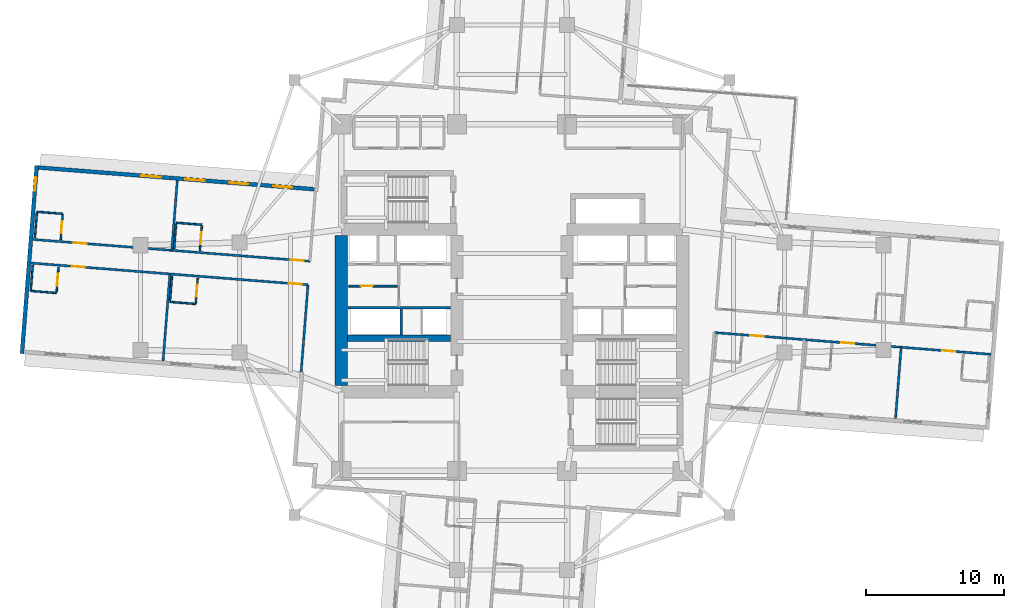
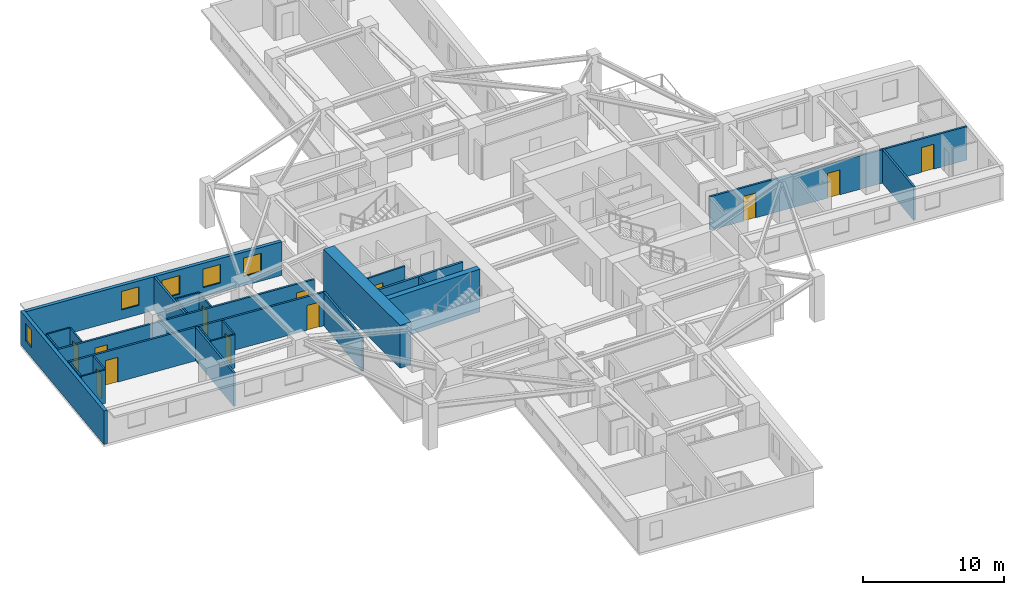
# One storey, part 5 of 14: 26 walls, 12 doors, 5 windows, 17 openings.
"""IFC4 building model written with IfcOpenShell, lengths in metres."""

import ifcopenshell
import ifcopenshell.guid

model = None  # the IFC model being written
_history = None  # IfcOwnerHistory: only IFC2X3 demands one
_inside = {}  # id of a spatial element -> (the spatial element, [elements in it])
_under = {}  # id of a project, library or spatial element -> (it, [spatial elements below it])
_declared = {}  # id of a project -> (the project, [libraries it declares])
_typed = {}  # id of a type object -> (the type object, [elements of that type])
_made_of = {}  # id of a material, layer set ... -> (it, [elements and type objects made of it])


def new_model(schema):
    """Start an empty IFC model of exactly this schema.

    Asked for "IFC4X3", IfcOpenShell would pick the latest addendum, in which some entities
    have other attributes; the version numbers below select the first issue.
    IFC2X3 requires an IfcOwnerHistory on every rooted entity: one is made here for all.
    """
    global model, _history
    if schema == "IFC4X3":
        model = ifcopenshell.file(schema_version=(4, 3, 0, 0))
    else:
        model = ifcopenshell.file(schema=schema)
    _inside.clear()
    _under.clear()
    _declared.clear()
    _typed.clear()
    _made_of.clear()
    _history = None
    if model.schema == "IFC2X3":
        org = make("IfcOrganization", Name="unknown")
        user = make(
            "IfcPersonAndOrganization",
            ThePerson=make("IfcPerson", FamilyName="unknown"),
            TheOrganization=org,
        )
        app = make(
            "IfcApplication",
            ApplicationDeveloper=org,
            Version="unknown",
            ApplicationFullName="unknown",
            ApplicationIdentifier="unknown",
        )
        _history = make(
            "IfcOwnerHistory",
            OwningUser=user,
            OwningApplication=app,
            ChangeAction="ADDED",
            CreationDate=0,
        )
    return model


def make(cls, **values):
    """One entity of the class cls with the attributes given. An attribute that is None is left unset."""
    return model.create_entity(
        cls, **{name: value for name, value in values.items() if value is not None}
    )


def rooted(cls, **values):
    """An entity with a GlobalId (a new one), such as an element, a storey or a relation."""
    return make(cls, GlobalId=ifcopenshell.guid.new(), OwnerHistory=_history, **values)


def si_unit(unit_type, name, prefix=None):
    """IfcSIUnit, for example si_unit("LENGTHUNIT", "METRE", prefix="MILLI")."""
    return make("IfcSIUnit", UnitType=unit_type, Prefix=prefix, Name=name)


def assignment(units):
    """IfcUnitAssignment: the units of a project."""
    return None if units is None else make("IfcUnitAssignment", Units=units)


def point(xyz):
    """IfcCartesianPoint."""
    return None if xyz is None else make("IfcCartesianPoint", Coordinates=xyz)


def direction(xyz):
    """IfcDirection."""
    return None if xyz is None else make("IfcDirection", DirectionRatios=xyz)


def frame(location, z_axis=None, x_axis=None):
    """IfcAxis2Placement3D, a coordinate frame: its origin and axes. An axis left out is left unset."""
    return make(
        "IfcAxis2Placement3D",
        Location=point(location),
        Axis=direction(z_axis),
        RefDirection=direction(x_axis),
    )


def frame_2d(location, x_axis=None):
    """IfcAxis2Placement2D, a coordinate frame in the plane: its origin and x axis."""
    return make(
        "IfcAxis2Placement2D", Location=point(location), RefDirection=direction(x_axis)
    )


def origin():
    """The frame at (0, 0, 0) with its axes left unset."""
    return frame((0.0, 0.0, 0.0))


def place(relative_to, where):
    """IfcLocalPlacement: puts the frame where relative to a parent placement (None: the world)."""
    return make(
        "IfcLocalPlacement", PlacementRelTo=relative_to, RelativePlacement=where
    )


def context(
    kind, dimensions, precision=None, world=None, true_north=None, identifier=None
):
    """IfcGeometricRepresentationContext, for example the 3D "Model" context."""
    return make(
        "IfcGeometricRepresentationContext",
        ContextIdentifier=identifier,
        ContextType=kind,
        CoordinateSpaceDimension=dimensions,
        Precision=precision,
        WorldCoordinateSystem=world,
        TrueNorth=true_north,
    )


def subcontext(parent, identifier, kind, view, scale=None):
    """IfcGeometricRepresentationSubContext, for example "Body" below "Model"."""
    return make(
        "IfcGeometricRepresentationSubContext",
        ContextIdentifier=identifier,
        ContextType=kind,
        ParentContext=parent,
        TargetScale=scale,
        TargetView=view,
    )


def project(units=None, contexts=None):
    """IfcProject with its units and contexts."""
    return rooted(
        "IfcProject",
        Name="project",
        RepresentationContexts=contexts,
        UnitsInContext=assignment(units),
    )


def spatial(cls, under=None, at=None, **own):
    """A site, building, storey or space (cls), placed at a placement, below another one or the project."""
    s = rooted(cls, ObjectPlacement=at, **own)
    if under is not None:
        _under.setdefault(under.id(), (under, []))[1].append(s)
    return s


def profile(cls, at=None, kind="AREA", **sizes):
    """A parametric profile (cls). Its sizes go by their IFC names, for example OverallWidth=200.0."""
    return make(cls, ProfileType=kind, Position=at, **sizes)


def rectangle(**sizes):
    """IfcRectangleProfileDef."""
    return profile("IfcRectangleProfileDef", **sizes)


def extrude(swept, where, along, depth):
    """IfcExtrudedAreaSolid: the profile swept, set in the frame where, extruded along a direction by depth."""
    return make(
        "IfcExtrudedAreaSolid",
        SweptArea=swept,
        Position=where,
        ExtrudedDirection=direction(along),
        Depth=depth,
    )


def shape(context_of_items, identifier, shape_type, items):
    """IfcShapeRepresentation: the items that make up one representation, for example the "Body"."""
    return make(
        "IfcShapeRepresentation",
        ContextOfItems=context_of_items,
        RepresentationIdentifier=identifier,
        RepresentationType=shape_type,
        Items=items,
    )


def material(Name=None, Category=None):
    """IfcMaterial."""
    return make("IfcMaterial", Name=Name, Category=Category)


def layer(
    of_material, thickness, ventilated=None, Name=None, Category=None, Priority=None
):
    """IfcMaterialLayer: one layer of a wall or slab, of a material (None: an air gap)."""
    return make(
        "IfcMaterialLayer",
        Material=of_material,
        LayerThickness=thickness,
        IsVentilated=ventilated,
        Name=Name,
        Category=Category,
        Priority=Priority,
    )


def layer_set(layers, Name=None):
    """IfcMaterialLayerSet."""
    return make("IfcMaterialLayerSet", MaterialLayers=layers, LayerSetName=Name)


def made_of(thing, what):
    """Note that an element or type object is made of a material, layer set ...; save() writes the relation."""
    if what is not None:
        _made_of.setdefault(what.id(), (what, []))[1].append(thing)
    return thing


def type_object(cls, material=None, **own):
    """A type object (cls), such as IfcWallType, which elements share."""
    return made_of(rooted(cls, **own), material)


def element(
    cls,
    number,
    at=None,
    inside=None,
    cuts=None,
    type_object=None,
    material=None,
    context=None,
    identifier="Body",
    shape_type=None,
    held_by="IfcProductDefinitionShape",
    body=None,
    shapes=None,
    **own,
):
    """One element of the class cls, such as IfcWall. Its Tag is "e" and its number.

    at: its placement. inside: the storey or other place that contains it. cuts: it is an
    opening in that element (IfcRelVoidsElement). A single representation is given by context,
    identifier, shape_type and body (its items); several are given by shapes. held_by: the class
    of the entity that holds the representations. save() writes the other relations.
    """
    e = rooted(cls, Tag="e%d" % number, ObjectPlacement=at, **own)
    if body is not None:
        shapes = [shape(context, identifier, shape_type, body)]
    if shapes is not None:
        e.Representation = make(held_by, Representations=shapes)
    if inside is not None:
        _inside.setdefault(inside.id(), (inside, []))[1].append(e)
    if cuts is not None:
        rooted(
            "IfcRelVoidsElement", RelatingBuildingElement=cuts, RelatedOpeningElement=e
        )
    if type_object is not None:
        _typed.setdefault(type_object.id(), (type_object, []))[1].append(e)
    return made_of(e, material)


def fill(opening, filler):
    """IfcRelFillsElement: the door or window that sits in an opening."""
    return rooted(
        "IfcRelFillsElement",
        RelatingOpeningElement=opening,
        RelatedBuildingElement=filler,
    )


def aggregate(whole, parts):
    """IfcRelAggregates: a whole, such as a stair, and the parts it consists of."""
    return rooted("IfcRelAggregates", RelatingObject=whole, RelatedObjects=parts)


def save(model, path):
    """Write the relations noted so far, then the file.

    IfcRelAggregates (storeys below a building ...), IfcRelContainedInSpatialStructure (elements
    in a storey), IfcRelDefinesByType, IfcRelAssociatesMaterial and IfcRelDeclares: one each for
    every whole, place, type object, material and project.
    """
    for whole, parts in _under.values():
        aggregate(whole, parts)
    for where, things in _inside.values():
        rooted(
            "IfcRelContainedInSpatialStructure",
            RelatedElements=things,
            RelatingStructure=where,
        )
    for kind, things in _typed.values():
        rooted("IfcRelDefinesByType", RelatedObjects=things, RelatingType=kind)
    for what, things in _made_of.values():
        rooted("IfcRelAssociatesMaterial", RelatedObjects=things, RelatingMaterial=what)
    for by, libraries in _declared.values():
        rooted("IfcRelDeclares", RelatingContext=by, RelatedDefinitions=libraries)
    model.write(path)


model = new_model("IFC4")

# Units and contexts
model_context = context("Model", 3, precision=1e-05, world=origin(), true_north=direction((0.0, 1.0)))
body_context = subcontext(model_context, "Body", "Model", "MODEL_VIEW")
ifc_project = project(units=[si_unit("LENGTHUNIT", "METRE"), si_unit("AREAUNIT", "SQUARE_METRE"), si_unit("VOLUMEUNIT", "CUBIC_METRE"), si_unit("PLANEANGLEUNIT", "RADIAN"), si_unit("MASSUNIT", "GRAM", prefix="KILO")], contexts=[model_context])

# Site, building, storey
site_placement = place(None, origin())
site = spatial("IfcSite", under=ifc_project, at=site_placement, CompositionType="ELEMENT")
building_placement = place(site_placement, origin())
building = spatial("IfcBuilding", under=site, at=building_placement, Name="Qingluan Cross Belvedere", CompositionType="ELEMENT")
storey_placement = place(building_placement, frame((0.0, 0.0, 83.39990234375)))
storey = spatial("IfcBuildingStorey", under=building, at=storey_placement, Name="L21", CompositionType="ELEMENT", Elevation=83.39990234375)

# Walls
ifc_material_1 = material(Name="Concrete C50", Category="concrete")
ifc_layer_1 = layer(ifc_material_1, 0.449951171875, Name="CoreShearWall_450")
ifc_layer_set_1 = layer_set([ifc_layer_1], Name="Concrete C50")
wall_type_1 = type_object("IfcWallType", Name="CoreShearWall_450", PredefinedType="SHEAR", material=ifc_layer_set_1)
wall_1_placement = place(storey_placement, frame((-11.945068359375, -2.9599609375, 0.0), z_axis=(0.0, 0.0, 1.0), x_axis=(1.0, 0.0, 0.0)))
element("IfcWall", 1, at=wall_1_placement, inside=storey, type_object=wall_type_1, Name="Split core W shear wall L21-M", PredefinedType="SHEAR", context=body_context, shape_type="SweptSolid", body=[
    extrude(rectangle(XDim=7.489990234375, YDim=0.449951171875, at=frame_2d((3.7451171875, 0.0))), origin(), (0.0, 0.0, 1.0), 3.7001953125),
])
ifc_material_2 = material(Name="Concrete C70", Category="concrete")
ifc_layer_2 = layer(ifc_material_2, 0.89990234375, Name="CoreShearWall_900")
ifc_layer_set_2 = layer_set([ifc_layer_2], Name="Concrete C70")
wall_type_2 = type_object("IfcWallType", Name="CoreShearWall_900", PredefinedType="SHEAR", material=ifc_layer_set_2)
wall_2_placement = place(storey_placement, frame((-12.39990234375, -6.39501953125, 0.0), z_axis=(0.0, 0.0, 1.0), x_axis=(0.0, 1.0, 0.0)))
element("IfcWall", 2, at=wall_2_placement, inside=storey, type_object=wall_type_2, Name="Split core W shear wall L21-W", PredefinedType="SHEAR", context=body_context, shape_type="SweptSolid", body=[
    extrude(rectangle(XDim=10.89013671875, YDim=0.89990234375, at=frame_2d((5.445068359375, 0.0))), origin(), (0.0, 0.0, 1.0), 3.7001953125),
])

# Wall, opening, door
ifc_material_3 = material(Name="Gypsum plasterboard on steel stud acoustic partition", Category="steel")
ifc_layer_3 = layer(ifc_material_3, 0.159912109375, Name="CorridorPartition_160")
ifc_layer_set_3 = layer_set([ifc_layer_3], Name="Gypsum plasterboard on steel stud acoustic partition")
wall_type_3 = type_object("IfcWallType", Name="CorridorPartition_160", PredefinedType="PARTITIONING", material=ifc_layer_set_3)
wall_3_placement = place(storey_placement, frame((-11.85009765625, 0.830078125, 0.0), z_axis=(0.0, 0.0, 1.0), x_axis=(1.0, 0.0, 0.0)))
wall_3 = element("IfcWall", 3, at=wall_3_placement, inside=storey, type_object=wall_type_3, Name="Partition L21:w", PredefinedType="PARTITIONING", context=body_context, shape_type="SweptSolid", body=[
    extrude(rectangle(XDim=3.552001953125, YDim=0.139892578125, at=frame_2d((1.77587890625, 0.0))), origin(), (0.0, 0.0, 1.0), 2.900146484375),
])
opening_1_placement = place(wall_3_placement, frame((0.85009765625, 0.0, 0.0)))
opening_1 = element("IfcOpeningElement", 4, at=opening_1_placement, cuts=wall_3, Name="Opening FD-B10", PredefinedType="OPENING", context=body_context, shape_type="SweptSolid", body=[
    extrude(rectangle(XDim=0.8798828125, YDim=2.10009765625, at=frame_2d((0.43994140625, 1.050048828125))), frame((0.0, 0.079833984375, 0.0), z_axis=(0.0, -1.0, 0.0), x_axis=(1.0, 0.0, 0.0)), (0.0, 0.0, 1.0), 0.159912109375),
])
ifc_material_4 = material(Name="Steel Class B service fire door", Category="steel")
door_type_1 = type_object("IfcDoorType", Name="RiserServiceFireDoor_FDB", OperationType="NOTDEFINED", PredefinedType="DOOR", material=ifc_material_4)
door_1_placement = place(opening_1_placement, origin())
door_1 = element("IfcDoor", 5, at=door_1_placement, inside=storey, type_object=door_type_1, Name="Service closet inner door L21", OperationType="SINGLE_SWING_RIGHT", OverallHeight=2.10009765625, OverallWidth=0.8798828125, PredefinedType="DOOR", context=body_context, shape_type="SweptSolid", body=[
    extrude(rectangle(XDim=0.8798828125, YDim=2.10009765625, at=frame_2d((0.43994140625, 1.050048828125))), frame((0.0, 0.02490234375, 0.0), z_axis=(0.0, -1.0, 0.0), x_axis=(1.0, 0.0, 0.0)), (0.0, 0.0, 1.0), 0.050048828125),
])
fill(opening_1, door_1)

# Wall, openings, doors
wall_4_placement = place(storey_placement, frame((14.69580078125, -2.541015625, 0.0), z_axis=(0.0, 0.0, 1.0), x_axis=(0.996918172339, -0.0784484395, 0.0)))
wall_4 = element("IfcWall", 6, at=wall_4_placement, inside=storey, type_object=wall_type_3, Name="Partition L21:E:c1", PredefinedType="PARTITIONING", context=body_context, shape_type="SweptSolid", body=[
    extrude(rectangle(XDim=20.18212890625, YDim=0.159912109375, at=frame_2d((10.091064453125, 0.0))), origin(), (0.0, 0.0, 1.0), 2.900146484375),
])
opening_2_placement = place(wall_4_placement, frame((2.635986328125, 0.0, 0.0)))
opening_2 = element("IfcOpeningElement", 7, at=opening_2_placement, cuts=wall_4, Name="Opening GD-10", PredefinedType="OPENING", context=body_context, shape_type="SweptSolid", body=[
    extrude(rectangle(XDim=0.9599609375, YDim=2.14990234375, at=frame_2d((0.47998046875, 1.074951171875))), frame((0.0, 0.08984375, 0.0), z_axis=(0.0, -1.0, 0.0), x_axis=(1.0, 0.0, 0.0)), (0.0, 0.0, 1.0), 0.179931640625),
])
opening_3_placement = place(wall_4_placement, frame((9.242919921875, 0.0, 0.0)))
opening_3 = element("IfcOpeningElement", 8, at=opening_3_placement, cuts=wall_4, Name="Opening GD-10", PredefinedType="OPENING", context=body_context, shape_type="SweptSolid", body=[
    extrude(rectangle(XDim=0.9599609375, YDim=2.14990234375, at=frame_2d((0.47998046875, 1.074951171875))), frame((0.0, 0.08984375, 0.0), z_axis=(0.0, -1.0, 0.0), x_axis=(1.0, 0.0, 0.0)), (0.0, 0.0, 1.0), 0.179931640625),
])
opening_4_placement = place(wall_4_placement, frame((16.611083984375, 0.0, 0.0)))
opening_4 = element("IfcOpeningElement", 9, at=opening_4_placement, cuts=wall_4, Name="Opening GD-10", PredefinedType="OPENING", context=body_context, shape_type="SweptSolid", body=[
    extrude(rectangle(XDim=0.9599609375, YDim=2.14990234375, at=frame_2d((0.47998046875, 1.074951171875))), frame((0.0, 0.08984375, 0.0), z_axis=(0.0, -1.0, 0.0), x_axis=(1.0, 0.0, 0.0)), (0.0, 0.0, 1.0), 0.179931640625),
])
ifc_material_5 = material(Name="Timber oak fire-rated acoustic guestroom door", Category="wood")
door_type_2 = type_object("IfcDoorType", Name="GuestEntryDoor_FD60", OperationType="NOTDEFINED", PredefinedType="DOOR", material=ifc_material_5)
door_2_placement = place(opening_2_placement, origin())
door_2 = element("IfcDoor", 10, at=door_2_placement, inside=storey, type_object=door_type_2, Name="Guest entry fire door 2104", OperationType="SINGLE_SWING_LEFT", OverallHeight=2.14990234375, OverallWidth=0.9599609375, PredefinedType="DOOR", context=body_context, shape_type="SweptSolid", body=[
    extrude(rectangle(XDim=0.9599609375, YDim=2.14990234375, at=frame_2d((0.47998046875, 1.074951171875))), frame((0.0, 0.02490234375, 0.0), z_axis=(0.0, -1.0, 0.0), x_axis=(1.0, 0.0, 0.0)), (0.0, 0.0, 1.0), 0.050048828125),
])
fill(opening_2, door_2)
door_3_placement = place(opening_3_placement, origin())
door_3 = element("IfcDoor", 11, at=door_3_placement, inside=storey, type_object=door_type_2, Name="Guest entry fire door 2105", OperationType="SINGLE_SWING_LEFT", OverallHeight=2.14990234375, OverallWidth=0.9599609375, PredefinedType="DOOR", context=body_context, shape_type="SweptSolid", body=[
    extrude(rectangle(XDim=0.9599609375, YDim=2.14990234375, at=frame_2d((0.47998046875, 1.074951171875))), frame((0.0, 0.02490234375, 0.0), z_axis=(0.0, -1.0, 0.0), x_axis=(1.0, 0.0, 0.0)), (0.0, 0.0, 1.0), 0.050048828125),
])
fill(opening_3, door_3)
door_4_placement = place(opening_4_placement, origin())
door_4 = element("IfcDoor", 12, at=door_4_placement, inside=storey, type_object=door_type_2, Name="Guest entry fire door 2106", OperationType="SINGLE_SWING_LEFT", OverallHeight=2.14990234375, OverallWidth=0.9599609375, PredefinedType="DOOR", context=body_context, shape_type="SweptSolid", body=[
    extrude(rectangle(XDim=0.9599609375, YDim=2.14990234375, at=frame_2d((0.47998046875, 1.074951171875))), frame((0.0, 0.02490234375, 0.0), z_axis=(0.0, -1.0, 0.0), x_axis=(1.0, 0.0, 0.0)), (0.0, 0.0, 1.0), 0.050048828125),
])
fill(opening_4, door_4)

# Wall
wall_5_placement = place(storey_placement, frame((28.27490234375, -3.609619140625, 0.0), z_axis=(0.0, 0.0, 1.0), x_axis=(-0.078433164296, -0.996919374242, 0.0)))
element("IfcWall", 13, at=wall_5_placement, inside=storey, type_object=wall_type_3, Name="Partition L21:E:d1_1", PredefinedType="PARTITIONING", context=body_context, shape_type="SweptSolid", body=[
    extrude(rectangle(XDim=5.192138671875, YDim=0.159912109375, at=frame_2d((2.59619140625, 0.0))), origin(), (0.0, 0.0, 1.0), 2.900146484375),
])

# Wall, openings, doors
wall_6_placement = place(storey_placement, frame((-14.68798828125, 2.640625, 0.0), z_axis=(0.0, 0.0, 1.0), x_axis=(-0.996917226209, 0.078460461943, 0.0)))
wall_6 = element("IfcWall", 14, at=wall_6_placement, inside=storey, type_object=wall_type_3, Name="Partition L21:W:c0", PredefinedType="PARTITIONING", context=body_context, shape_type="SweptSolid", body=[
    extrude(rectangle(XDim=20.18212890625, YDim=0.159912109375, at=frame_2d((10.091064453125, 0.0))), origin(), (0.0, 0.0, 1.0), 2.900146484375),
])
opening_5_placement = place(wall_6_placement, frame((0.449951171875, 0.0, 0.0)))
opening_5 = element("IfcOpeningElement", 15, at=opening_5_placement, cuts=wall_6, Name="Opening GD-10", PredefinedType="OPENING", context=body_context, shape_type="SweptSolid", body=[
    extrude(rectangle(XDim=0.9599609375, YDim=2.14990234375, at=frame_2d((0.47998046875, 1.074951171875))), frame((0.0, 0.08984375, 0.0), z_axis=(0.0, -1.0, 0.0), x_axis=(1.0, 0.0, 0.0)), (0.0, 0.0, 1.0), 0.179931640625),
])
opening_6_placement = place(wall_6_placement, frame((16.2548828125, 0.0, 0.0)))
opening_6 = element("IfcOpeningElement", 16, at=opening_6_placement, cuts=wall_6, Name="Opening GD-10", PredefinedType="OPENING", context=body_context, shape_type="SweptSolid", body=[
    extrude(rectangle(XDim=0.9599609375, YDim=2.14990234375, at=frame_2d((0.47998046875, 1.074951171875))), frame((0.0, 0.08984375, 0.0), z_axis=(0.0, -1.0, 0.0), x_axis=(1.0, 0.0, 0.0)), (0.0, 0.0, 1.0), 0.179931640625),
])
door_5_placement = place(opening_5_placement, origin())
door_5 = element("IfcDoor", 17, at=door_5_placement, inside=storey, type_object=door_type_2, Name="Guest entry fire door 2107", OperationType="SINGLE_SWING_LEFT", OverallHeight=2.14990234375, OverallWidth=0.9599609375, PredefinedType="DOOR", context=body_context, shape_type="SweptSolid", body=[
    extrude(rectangle(XDim=0.9599609375, YDim=2.14990234375, at=frame_2d((0.47998046875, 1.074951171875))), frame((0.0, 0.02490234375, 0.0), z_axis=(0.0, -1.0, 0.0), x_axis=(1.0, 0.0, 0.0)), (0.0, 0.0, 1.0), 0.050048828125),
])
fill(opening_5, door_5)
door_6_placement = place(opening_6_placement, origin())
door_6 = element("IfcDoor", 18, at=door_6_placement, inside=storey, type_object=door_type_2, Name="Guest entry fire door 2108", OperationType="SINGLE_SWING_LEFT", OverallHeight=2.14990234375, OverallWidth=0.9599609375, PredefinedType="DOOR", context=body_context, shape_type="SweptSolid", body=[
    extrude(rectangle(XDim=0.9599609375, YDim=2.14990234375, at=frame_2d((0.47998046875, 1.074951171875))), frame((0.0, 0.02490234375, 0.0), z_axis=(0.0, -1.0, 0.0), x_axis=(1.0, 0.0, 0.0)), (0.0, 0.0, 1.0), 0.050048828125),
])
fill(opening_6, door_6)

# Wall
wall_7_placement = place(storey_placement, frame((-24.72021484375, 3.43017578125, 0.0), z_axis=(0.0, 0.0, 1.0), x_axis=(0.078489312313, 0.996914955175, 0.0)))
element("IfcWall", 19, at=wall_7_placement, inside=storey, type_object=wall_type_3, Name="Partition L21:W:d0_0", PredefinedType="PARTITIONING", context=body_context, shape_type="SweptSolid", body=[
    extrude(rectangle(XDim=5.091796875, YDim=0.159912109375, at=frame_2d((2.5458984375, 0.0))), origin(), (0.0, 0.0, 1.0), 2.900146484375),
])

# Wall, openings, doors
wall_8_placement = place(storey_placement, frame((-14.822998046875, 0.92578125, 0.0), z_axis=(0.0, 0.0, 1.0), x_axis=(-0.996917226209, 0.078460461943, 0.0)))
wall_8 = element("IfcWall", 20, at=wall_8_placement, inside=storey, type_object=wall_type_3, Name="Partition L21:W:c1", PredefinedType="PARTITIONING", context=body_context, shape_type="SweptSolid", body=[
    extrude(rectangle(XDim=20.18212890625, YDim=0.159912109375, at=frame_2d((10.091064453125, 0.0))), origin(), (0.0, 0.0, 1.0), 2.900146484375),
])
opening_7_placement = place(wall_8_placement, frame((0.449951171875, 0.0, 0.0)))
opening_7 = element("IfcOpeningElement", 21, at=opening_7_placement, cuts=wall_8, Name="Opening GD-10", PredefinedType="OPENING", context=body_context, shape_type="SweptSolid", body=[
    extrude(rectangle(XDim=0.9599609375, YDim=2.14990234375, at=frame_2d((0.47998046875, 1.074951171875))), frame((0.0, 0.08984375, 0.0), z_axis=(0.0, -1.0, 0.0), x_axis=(1.0, 0.0, 0.0)), (0.0, 0.0, 1.0), 0.179931640625),
])
opening_8_placement = place(wall_8_placement, frame((16.2548828125, 0.0, 0.0)))
opening_8 = element("IfcOpeningElement", 22, at=opening_8_placement, cuts=wall_8, Name="Opening GD-10", PredefinedType="OPENING", context=body_context, shape_type="SweptSolid", body=[
    extrude(rectangle(XDim=0.9599609375, YDim=2.14990234375, at=frame_2d((0.47998046875, 1.074951171875))), frame((0.0, 0.08984375, 0.0), z_axis=(0.0, -1.0, 0.0), x_axis=(1.0, 0.0, 0.0)), (0.0, 0.0, 1.0), 0.179931640625),
])
door_7_placement = place(opening_7_placement, origin())
door_7 = element("IfcDoor", 23, at=door_7_placement, inside=storey, type_object=door_type_2, Name="Guest entry fire door 2109", OperationType="SINGLE_SWING_LEFT", OverallHeight=2.14990234375, OverallWidth=0.9599609375, PredefinedType="DOOR", context=body_context, shape_type="SweptSolid", body=[
    extrude(rectangle(XDim=0.9599609375, YDim=2.14990234375, at=frame_2d((0.47998046875, 1.074951171875))), frame((0.0, 0.02490234375, 0.0), z_axis=(0.0, -1.0, 0.0), x_axis=(1.0, 0.0, 0.0)), (0.0, 0.0, 1.0), 0.050048828125),
])
fill(opening_7, door_7)
door_8_placement = place(opening_8_placement, origin())
door_8 = element("IfcDoor", 24, at=door_8_placement, inside=storey, type_object=door_type_2, Name="Guest entry fire door 2110", OperationType="SINGLE_SWING_LEFT", OverallHeight=2.14990234375, OverallWidth=0.9599609375, PredefinedType="DOOR", context=body_context, shape_type="SweptSolid", body=[
    extrude(rectangle(XDim=0.9599609375, YDim=2.14990234375, at=frame_2d((0.47998046875, 1.074951171875))), frame((0.0, 0.02490234375, 0.0), z_axis=(0.0, -1.0, 0.0), x_axis=(1.0, 0.0, 0.0)), (0.0, 0.0, 1.0), 0.050048828125),
])
fill(opening_8, door_8)

# Walls
for number, where, z_axis, x_axis, name in (
    (25, (-14.822998046875, 0.92578125, 0.0), (0.0, 0.0, 1.0), (-0.078462493424, -0.996917066323, 0.0), "Partition L21:W:s1"),
    (26, (-24.85498046875, 1.71533203125, 0.0), (0.0, 0.0, 1.0), (-0.078462493424, -0.996917066323, 0.0), "Partition L21:W:d1_0"),
):
    element("IfcWall", number, at=place(storey_placement, frame(where, z_axis=z_axis, x_axis=x_axis)), inside=storey, type_object=wall_type_3, Name=name, PredefinedType="PARTITIONING", context=body_context, shape_type="SweptSolid", body=[
        extrude(rectangle(XDim=6.33203125, YDim=0.159912109375, at=frame_2d((3.166015625, 0.0))), origin(), (0.0, 0.0, 1.0), 2.900146484375),
    ])

# Wall, opening, door
ifc_material_6 = material(Name="Moisture-resistant gypsum board lining")
ifc_layer_4 = layer(ifc_material_6, 0.1201171875, Name="EnsuiteWetPartition_120")
ifc_layer_set_4 = layer_set([ifc_layer_4], Name="Moisture-resistant gypsum board lining")
wall_type_4 = type_object("IfcWallType", Name="EnsuiteWetPartition_120", PredefinedType="PARTITIONING", material=ifc_layer_set_4)
wall_9_placement = place(storey_placement, frame((-22.67529296875, 3.40966796875, 0.0), z_axis=(0.0, 0.0, 1.0), x_axis=(0.078337634704, 0.996926885478, 0.0)))
wall_9 = element("IfcWall", 27, at=wall_9_placement, inside=storey, type_object=wall_type_4, Name="Partition L21:W:bs0_0", PredefinedType="PARTITIONING", context=body_context, shape_type="SweptSolid", body=[
    extrude(rectangle(XDim=1.820068359375, YDim=0.1201171875, at=frame_2d((0.91015625, 0.0))), origin(), (0.0, 0.0, 1.0), 2.900146484375),
])
opening_9_placement = place(wall_9_placement, frame((0.469970703125, 0.0, 0.0)))
opening_9 = element("IfcOpeningElement", 28, at=opening_9_placement, cuts=wall_9, Name="Opening BD-09", PredefinedType="OPENING", context=body_context, shape_type="SweptSolid", body=[
    extrude(rectangle(XDim=0.8798828125, YDim=2.10009765625, at=frame_2d((0.43994140625, 1.050048828125))), frame((0.0, 0.070068359375, 0.0), z_axis=(0.0, -1.0, 0.0), x_axis=(1.0, 0.0, 0.0)), (0.0, 0.0, 1.0), 0.14013671875),
])
ifc_material_7 = material(Name="Moisture-sealed timber en-suite door", Category="wood")
door_type_3 = type_object("IfcDoorType", Name="BathroomDoor_880", OperationType="NOTDEFINED", PredefinedType="DOOR", material=ifc_material_7)
door_9_placement = place(opening_9_placement, origin())
door_9 = element("IfcDoor", 29, at=door_9_placement, inside=storey, type_object=door_type_3, Name="Bathroom door 2107", OperationType="SINGLE_SWING_RIGHT", OverallHeight=2.10009765625, OverallWidth=0.8798828125, PredefinedType="DOOR", context=body_context, shape_type="SweptSolid", body=[
    extrude(rectangle(XDim=0.8798828125, YDim=2.10009765625, at=frame_2d((0.43994140625, 1.050048828125))), frame((0.0, 0.02490234375, 0.0), z_axis=(0.0, -1.0, 0.0), x_axis=(1.0, 0.0, 0.0)), (0.0, 0.0, 1.0), 0.050048828125),
])
fill(opening_9, door_9)

# Walls
wall_10_placement = place(storey_placement, frame((-24.549560546875, 3.55712890625, 0.0), z_axis=(0.0, 0.0, 1.0), x_axis=(0.0784709492, 0.996916400774, 0.0)))
element("IfcWall", 30, at=wall_10_placement, inside=storey, type_object=wall_type_4, Name="Partition L21:W:bw0_0", PredefinedType="PARTITIONING", context=body_context, shape_type="SweptSolid", body=[
    extrude(rectangle(XDim=1.820068359375, YDim=0.1201171875, at=frame_2d((0.91015625, 0.0))), origin(), (0.0, 0.0, 1.0), 2.900146484375),
])
wall_11_placement = place(storey_placement, frame((-22.527587890625, 5.288818359375, 0.0), z_axis=(0.0, 0.0, 1.0), x_axis=(-0.99691849475, 0.078444342213, 0.0)))
element("IfcWall", 31, at=wall_11_placement, inside=storey, type_object=wall_type_4, Name="Partition L21:W:bn0_0", PredefinedType="PARTITIONING", context=body_context, shape_type="SweptSolid", body=[
    extrude(rectangle(XDim=1.8798828125, YDim=0.1201171875, at=frame_2d((0.93994140625, 0.0))), origin(), (0.0, 0.0, 1.0), 2.900146484375),
])

# Wall, opening, door
wall_12_placement = place(storey_placement, frame((-32.791015625, 4.205810546875, 0.0), z_axis=(0.0, 0.0, 1.0), x_axis=(0.078481444107, 0.996915574626, 0.0)))
wall_12 = element("IfcWall", 32, at=wall_12_placement, inside=storey, type_object=wall_type_4, Name="Partition L21:W:bs0_1", PredefinedType="PARTITIONING", context=body_context, shape_type="SweptSolid", body=[
    extrude(rectangle(XDim=1.81982421875, YDim=0.1201171875, at=frame_2d((0.909912109375, 0.0))), origin(), (0.0, 0.0, 1.0), 2.900146484375),
])
opening_10_placement = place(wall_12_placement, frame((0.469970703125, 0.0, 0.0)))
opening_10 = element("IfcOpeningElement", 33, at=opening_10_placement, cuts=wall_12, Name="Opening BD-09", PredefinedType="OPENING", context=body_context, shape_type="SweptSolid", body=[
    extrude(rectangle(XDim=0.8798828125, YDim=2.10009765625, at=frame_2d((0.43994140625, 1.050048828125))), frame((0.0, 0.070068359375, 0.0), z_axis=(0.0, -1.0, 0.0), x_axis=(1.0, 0.0, 0.0)), (0.0, 0.0, 1.0), 0.14013671875),
])
door_10_placement = place(opening_10_placement, origin())
door_10 = element("IfcDoor", 34, at=door_10_placement, inside=storey, type_object=door_type_3, Name="Bathroom door 2108", OperationType="SINGLE_SWING_RIGHT", OverallHeight=2.10009765625, OverallWidth=0.8798828125, PredefinedType="DOOR", context=body_context, shape_type="SweptSolid", body=[
    extrude(rectangle(XDim=0.8798828125, YDim=2.10009765625, at=frame_2d((0.43994140625, 1.050048828125))), frame((0.0, 0.02490234375, 0.0), z_axis=(0.0, -1.0, 0.0), x_axis=(1.0, 0.0, 0.0)), (0.0, 0.0, 1.0), 0.050048828125),
])
fill(opening_10, door_10)

# Walls
wall_13_placement = place(storey_placement, frame((-34.665283203125, 4.353271484375, 0.0), z_axis=(0.0, 0.0, 1.0), x_axis=(0.078481444107, 0.996915574626, 0.0)))
element("IfcWall", 35, at=wall_13_placement, inside=storey, type_object=wall_type_4, Name="Partition L21:W:bw0_1", PredefinedType="PARTITIONING", context=body_context, shape_type="SweptSolid", body=[
    extrude(rectangle(XDim=1.81982421875, YDim=0.1201171875, at=frame_2d((0.909912109375, 0.0))), origin(), (0.0, 0.0, 1.0), 2.900146484375),
])
wall_14_placement = place(storey_placement, frame((-32.643310546875, 6.0849609375, 0.0), z_axis=(0.0, 0.0, 1.0), x_axis=(-0.99691849475, 0.078444342213, 0.0)))
element("IfcWall", 36, at=wall_14_placement, inside=storey, type_object=wall_type_4, Name="Partition L21:W:bn0_1", PredefinedType="PARTITIONING", context=body_context, shape_type="SweptSolid", body=[
    extrude(rectangle(XDim=1.8798828125, YDim=0.1201171875, at=frame_2d((0.93994140625, 0.0))), origin(), (0.0, 0.0, 1.0), 2.900146484375),
])

# Wall, opening, door
wall_15_placement = place(storey_placement, frame((-22.97509765625, -0.398681640625, 0.0), z_axis=(0.0, 0.0, 1.0), x_axis=(0.0784709492, 0.996916400774, 0.0)))
wall_15 = element("IfcWall", 37, at=wall_15_placement, inside=storey, type_object=wall_type_4, Name="Partition L21:W:bs1_0", PredefinedType="PARTITIONING", context=body_context, shape_type="SweptSolid", body=[
    extrude(rectangle(XDim=1.820068359375, YDim=0.1201171875, at=frame_2d((0.91015625, 0.0))), origin(), (0.0, 0.0, 1.0), 2.900146484375),
])
opening_11_placement = place(wall_15_placement, frame((0.469970703125, 0.0, 0.0)))
opening_11 = element("IfcOpeningElement", 38, at=opening_11_placement, cuts=wall_15, Name="Opening BD-09", PredefinedType="OPENING", context=body_context, shape_type="SweptSolid", body=[
    extrude(rectangle(XDim=0.8798828125, YDim=2.10009765625, at=frame_2d((0.43994140625, 1.050048828125))), frame((0.0, 0.070068359375, 0.0), z_axis=(0.0, -1.0, 0.0), x_axis=(1.0, 0.0, 0.0)), (0.0, 0.0, 1.0), 0.14013671875),
])
door_11_placement = place(opening_11_placement, origin())
door_11 = element("IfcDoor", 39, at=door_11_placement, inside=storey, type_object=door_type_3, Name="Bathroom door 2109", OperationType="SINGLE_SWING_RIGHT", OverallHeight=2.10009765625, OverallWidth=0.8798828125, PredefinedType="DOOR", context=body_context, shape_type="SweptSolid", body=[
    extrude(rectangle(XDim=0.8798828125, YDim=2.10009765625, at=frame_2d((0.43994140625, 1.050048828125))), frame((0.0, 0.02490234375, 0.0), z_axis=(0.0, -1.0, 0.0), x_axis=(1.0, 0.0, 0.0)), (0.0, 0.0, 1.0), 0.050048828125),
])
fill(opening_11, door_11)

# Walls
wall_16_placement = place(storey_placement, frame((-24.849365234375, -0.251220703125, 0.0), z_axis=(0.0, 0.0, 1.0), x_axis=(0.0784709492, 0.996916400774, 0.0)))
element("IfcWall", 40, at=wall_16_placement, inside=storey, type_object=wall_type_4, Name="Partition L21:W:bw1_0", PredefinedType="PARTITIONING", context=body_context, shape_type="SweptSolid", body=[
    extrude(rectangle(XDim=1.820068359375, YDim=0.1201171875, at=frame_2d((0.91015625, 0.0))), origin(), (0.0, 0.0, 1.0), 2.900146484375),
])
wall_17_placement = place(storey_placement, frame((-22.980224609375, -0.46337890625, 0.0), z_axis=(0.0, 0.0, 1.0), x_axis=(-0.996919293781, 0.07843418698, 0.0)))
element("IfcWall", 41, at=wall_17_placement, inside=storey, type_object=wall_type_4, Name="Partition L21:W:bc1_0", PredefinedType="PARTITIONING", context=body_context, shape_type="SweptSolid", body=[
    extrude(rectangle(XDim=1.880126953125, YDim=0.1201171875, at=frame_2d((0.93994140625, 0.0))), origin(), (0.0, 0.0, 1.0), 2.900146484375),
])

# Wall, opening, door
wall_18_placement = place(storey_placement, frame((-33.0908203125, 0.3974609375, 0.0), z_axis=(0.0, 0.0, 1.0), x_axis=(0.0784709492, 0.996916400774, 0.0)))
wall_18 = element("IfcWall", 42, at=wall_18_placement, inside=storey, type_object=wall_type_4, Name="Partition L21:W:bs1_1", PredefinedType="PARTITIONING", context=body_context, shape_type="SweptSolid", body=[
    extrude(rectangle(XDim=1.820068359375, YDim=0.1201171875, at=frame_2d((0.91015625, 0.0))), origin(), (0.0, 0.0, 1.0), 2.900146484375),
])
opening_12_placement = place(wall_18_placement, frame((0.469970703125, 0.0, 0.0)))
opening_12 = element("IfcOpeningElement", 43, at=opening_12_placement, cuts=wall_18, Name="Opening BD-09", PredefinedType="OPENING", context=body_context, shape_type="SweptSolid", body=[
    extrude(rectangle(XDim=0.8798828125, YDim=2.10009765625, at=frame_2d((0.43994140625, 1.050048828125))), frame((0.0, 0.070068359375, 0.0), z_axis=(0.0, -1.0, 0.0), x_axis=(1.0, 0.0, 0.0)), (0.0, 0.0, 1.0), 0.14013671875),
])
door_12_placement = place(opening_12_placement, origin())
door_12 = element("IfcDoor", 44, at=door_12_placement, inside=storey, type_object=door_type_3, Name="Bathroom door 2110", OperationType="SINGLE_SWING_RIGHT", OverallHeight=2.10009765625, OverallWidth=0.8798828125, PredefinedType="DOOR", context=body_context, shape_type="SweptSolid", body=[
    extrude(rectangle(XDim=0.8798828125, YDim=2.10009765625, at=frame_2d((0.43994140625, 1.050048828125))), frame((0.0, 0.02490234375, 0.0), z_axis=(0.0, -1.0, 0.0), x_axis=(1.0, 0.0, 0.0)), (0.0, 0.0, 1.0), 0.050048828125),
])
fill(opening_12, door_12)

# Walls
wall_19_placement = place(storey_placement, frame((-34.965087890625, 0.544921875, 0.0), z_axis=(0.0, 0.0, 1.0), x_axis=(0.0784709492, 0.996916400774, 0.0)))
element("IfcWall", 45, at=wall_19_placement, inside=storey, type_object=wall_type_4, Name="Partition L21:W:bw1_1", PredefinedType="PARTITIONING", context=body_context, shape_type="SweptSolid", body=[
    extrude(rectangle(XDim=1.820068359375, YDim=0.1201171875, at=frame_2d((0.91015625, 0.0))), origin(), (0.0, 0.0, 1.0), 2.900146484375),
])
wall_20_placement = place(storey_placement, frame((-33.095947265625, 0.332763671875, 0.0), z_axis=(0.0, 0.0, 1.0), x_axis=(-0.996919293781, 0.07843418698, 0.0)))
element("IfcWall", 46, at=wall_20_placement, inside=storey, type_object=wall_type_4, Name="Partition L21:W:bc1_1", PredefinedType="PARTITIONING", context=body_context, shape_type="SweptSolid", body=[
    extrude(rectangle(XDim=1.880126953125, YDim=0.1201171875, at=frame_2d((0.93994140625, 0.0))), origin(), (0.0, 0.0, 1.0), 2.900146484375),
])

# Wall, openings, windows
ifc_material_8 = material(Name="Precast concrete C45", Category="concrete")
ifc_layer_5 = layer(ifc_material_8, 0.280029296875, Name="PrecastFacadeWall_280")
ifc_layer_set_5 = layer_set([ifc_layer_5], Name="Precast concrete C45")
wall_type_5 = type_object("IfcWallType", Name="PrecastFacadeWall_280", PredefinedType="STANDARD", material=ifc_layer_set_5)
wall_21_placement = place(storey_placement, frame((-14.36669921875, 7.87158203125, 0.0), z_axis=(0.0, 0.0, 1.0), x_axis=(-0.996917828963, 0.078452802979, 0.0)))
wall_21 = element("IfcWall", 47, at=wall_21_placement, inside=storey, type_object=wall_type_5, Name="Facade wall L21-WA", PredefinedType="STANDARD", context=body_context, shape_type="SweptSolid", body=[
    extrude(rectangle(XDim=20.10009765625, YDim=0.280029296875, at=frame_2d((10.050048828125, 0.0))), origin(), (0.0, 0.0, 1.0), 2.91015625),
])
opening_13_placement = place(wall_21_placement, frame((1.60009765625, 0.0, 0.800048828125)))
opening_13 = element("IfcOpeningElement", 48, at=opening_13_placement, cuts=wall_21, Name="Opening W-01", PredefinedType="OPENING", context=body_context, shape_type="SweptSolid", body=[
    extrude(rectangle(XDim=1.39990234375, YDim=1.60009765625, at=frame_2d((0.699951171875, 0.800048828125))), frame((0.0, 0.14990234375, 0.0), z_axis=(0.0, -1.0, 0.0), x_axis=(1.0, 0.0, 0.0)), (0.0, 0.0, 1.0), 0.300048828125),
])
opening_14_placement = place(wall_21_placement, frame((4.800048828125, 0.0, 0.800048828125)))
opening_14 = element("IfcOpeningElement", 49, at=opening_14_placement, cuts=wall_21, Name="Opening W-01", PredefinedType="OPENING", context=body_context, shape_type="SweptSolid", body=[
    extrude(rectangle(XDim=1.39990234375, YDim=1.60009765625, at=frame_2d((0.699951171875, 0.800048828125))), frame((0.0, 0.14990234375, 0.0), z_axis=(0.0, -1.0, 0.0), x_axis=(1.0, 0.0, 0.0)), (0.0, 0.0, 1.0), 0.300048828125),
])
opening_15_placement = place(wall_21_placement, frame((8.0, 0.0, 0.800048828125)))
opening_15 = element("IfcOpeningElement", 50, at=opening_15_placement, cuts=wall_21, Name="Opening W-01", PredefinedType="OPENING", context=body_context, shape_type="SweptSolid", body=[
    extrude(rectangle(XDim=1.39990234375, YDim=1.60009765625, at=frame_2d((0.699951171875, 0.800048828125))), frame((0.0, 0.14990234375, 0.0), z_axis=(0.0, -1.0, 0.0), x_axis=(1.0, 0.0, 0.0)), (0.0, 0.0, 1.0), 0.300048828125),
])
opening_16_placement = place(wall_21_placement, frame((11.199951171875, 0.0, 0.800048828125)))
opening_16 = element("IfcOpeningElement", 51, at=opening_16_placement, cuts=wall_21, Name="Opening W-01", PredefinedType="OPENING", context=body_context, shape_type="SweptSolid", body=[
    extrude(rectangle(XDim=1.39990234375, YDim=1.60009765625, at=frame_2d((0.699951171875, 0.800048828125))), frame((0.0, 0.14990234375, 0.0), z_axis=(0.0, -1.0, 0.0), x_axis=(1.0, 0.0, 0.0)), (0.0, 0.0, 1.0), 0.300048828125),
])
ifc_material_9 = material(Name="Thermally broken triple Low-E glass in aluminium frame", Category="aluminium")
window_type_1 = type_object("IfcWindowType", Name="TriRibbonWin_1400x1600", PartitioningType="SINGLE_PANEL", PredefinedType="WINDOW", material=ifc_material_9)
window_1_placement = place(opening_13_placement, origin())
window_1 = element("IfcWindow", 52, at=window_1_placement, inside=storey, type_object=window_type_1, Name="Ribbon window L21-WA-1", OverallHeight=1.60009765625, OverallWidth=1.39990234375, PartitioningType="SINGLE_PANEL", PredefinedType="WINDOW", context=body_context, shape_type="SweptSolid", body=[
    extrude(rectangle(XDim=1.39990234375, YDim=1.60009765625, at=frame_2d((0.699951171875, 0.800048828125))), frame((0.0, 0.030029296875, 0.0), z_axis=(0.0, -1.0, 0.0), x_axis=(1.0, 0.0, 0.0)), (0.0, 0.0, 1.0), 0.06005859375),
])
fill(opening_13, window_1)
window_2_placement = place(opening_14_placement, origin())
window_2 = element("IfcWindow", 53, at=window_2_placement, inside=storey, type_object=window_type_1, Name="Ribbon window L21-WA-2", OverallHeight=1.60009765625, OverallWidth=1.39990234375, PartitioningType="SINGLE_PANEL", PredefinedType="WINDOW", context=body_context, shape_type="SweptSolid", body=[
    extrude(rectangle(XDim=1.39990234375, YDim=1.60009765625, at=frame_2d((0.699951171875, 0.800048828125))), frame((0.0, 0.030029296875, 0.0), z_axis=(0.0, -1.0, 0.0), x_axis=(1.0, 0.0, 0.0)), (0.0, 0.0, 1.0), 0.06005859375),
])
fill(opening_14, window_2)
window_3_placement = place(opening_15_placement, origin())
window_3 = element("IfcWindow", 54, at=window_3_placement, inside=storey, type_object=window_type_1, Name="Ribbon window L21-WA-3", OverallHeight=1.60009765625, OverallWidth=1.39990234375, PartitioningType="SINGLE_PANEL", PredefinedType="WINDOW", context=body_context, shape_type="SweptSolid", body=[
    extrude(rectangle(XDim=1.39990234375, YDim=1.60009765625, at=frame_2d((0.699951171875, 0.800048828125))), frame((0.0, 0.030029296875, 0.0), z_axis=(0.0, -1.0, 0.0), x_axis=(1.0, 0.0, 0.0)), (0.0, 0.0, 1.0), 0.06005859375),
])
fill(opening_15, window_3)
window_4_placement = place(opening_16_placement, origin())
window_4 = element("IfcWindow", 55, at=window_4_placement, inside=storey, type_object=window_type_1, Name="Ribbon window L21-WA-4", OverallHeight=1.60009765625, OverallWidth=1.39990234375, PartitioningType="SINGLE_PANEL", PredefinedType="WINDOW", context=body_context, shape_type="SweptSolid", body=[
    extrude(rectangle(XDim=1.39990234375, YDim=1.60009765625, at=frame_2d((0.699951171875, 0.800048828125))), frame((0.0, 0.030029296875, 0.0), z_axis=(0.0, -1.0, 0.0), x_axis=(1.0, 0.0, 0.0)), (0.0, 0.0, 1.0), 0.06005859375),
])
fill(opening_16, window_4)

# Wall, opening, window
wall_22_placement = place(storey_placement, frame((-34.533203125, 9.59912109375, 0.0), z_axis=(0.0, 0.0, 1.0), x_axis=(-0.078473519122, -0.996916198482, 0.0)))
wall_22 = element("IfcWall", 56, at=wall_22_placement, inside=storey, type_object=wall_type_5, Name="Arm tip precast facade wall L21-W", PredefinedType="STANDARD", context=body_context, shape_type="SweptSolid", body=[
    extrude(rectangle(XDim=13.719970703125, YDim=0.280029296875, at=frame_2d((6.85986328125, 0.0))), origin(), (0.0, 0.0, 1.0), 2.91015625),
])
opening_17_placement = place(wall_22_placement, frame((0.85009765625, 0.0, 0.85009765625)))
opening_17 = element("IfcOpeningElement", 57, at=opening_17_placement, cuts=wall_22, Name="Opening W-03", PredefinedType="OPENING", context=body_context, shape_type="SweptSolid", body=[
    extrude(rectangle(XDim=1.0, YDim=1.5, at=frame_2d((0.5, 0.75))), frame((0.0, 0.14990234375, 0.0), z_axis=(0.0, -1.0, 0.0), x_axis=(1.0, 0.0, 0.0)), (0.0, 0.0, 1.0), 0.300048828125),
])
ifc_material_10 = material(Name="Thermally broken triple Low-E glass in aluminium frame", Category="aluminium")
window_type_2 = type_object("IfcWindowType", Name="TriApexWin_1000x1500", PartitioningType="SINGLE_PANEL", PredefinedType="WINDOW", material=ifc_material_10)
window_5_placement = place(opening_17_placement, origin())
window_5 = element("IfcWindow", 58, at=window_5_placement, inside=storey, type_object=window_type_2, Name="Arm tip triangular window L21-W", OverallHeight=1.5, OverallWidth=1.0, PartitioningType="SINGLE_PANEL", PredefinedType="WINDOW", context=body_context, shape_type="SweptSolid", body=[
    extrude(rectangle(XDim=1.0, YDim=1.5, at=frame_2d((0.5, 0.75))), frame((0.0, 0.030029296875, 0.0), z_axis=(0.0, -1.0, 0.0), x_axis=(1.0, 0.0, 0.0)), (0.0, 0.0, 1.0), 0.06005859375),
])
fill(opening_17, window_5)

# Walls
ifc_material_11 = material(Name="Concrete C40", Category="concrete")
ifc_layer_6 = layer(ifc_material_11, 0.219970703125, Name="ShaftEnclosureWall_250")
ifc_layer_set_6 = layer_set([ifc_layer_6], Name="Concrete C40")
wall_type_6 = type_object("IfcWallType", Name="ShaftEnclosureWall_250", PredefinedType="SOLIDWALL", material=ifc_layer_set_6)
wall_23_placement = place(storey_placement, frame((-11.89990234375, -0.75, 0.0), z_axis=(0.0, 0.0, 1.0), x_axis=(1.0, 0.0, 0.0)))
element("IfcWall", 59, at=wall_23_placement, inside=storey, type_object=wall_type_6, Name="Core-W mid hoistway wall L21", PredefinedType="SOLIDWALL", context=body_context, shape_type="SweptSolid", body=[
    extrude(rectangle(XDim=7.419921875, YDim=0.179931640625, at=frame_2d((3.7099609375, 0.0))), origin(), (0.0, 0.0, 1.0), 2.900146484375),
])
wall_24_placement = place(storey_placement, frame((-8.06005859375, -2.72998046875, 0.0), z_axis=(0.0, 0.0, 1.0), x_axis=(0.0, 1.0, 0.0)))
element("IfcWall", 60, at=wall_24_placement, inside=storey, type_object=wall_type_6, Name="Hoistway enclosure divider LP6E L21", PredefinedType="SOLIDWALL", context=body_context, shape_type="SweptSolid", body=[
    extrude(rectangle(XDim=1.889892578125, YDim=0.179931640625, at=frame_2d((0.94482421875, 0.0))), origin(), (0.0, 0.0, 1.0), 2.900146484375),
])

save(model, "model.ifc")
